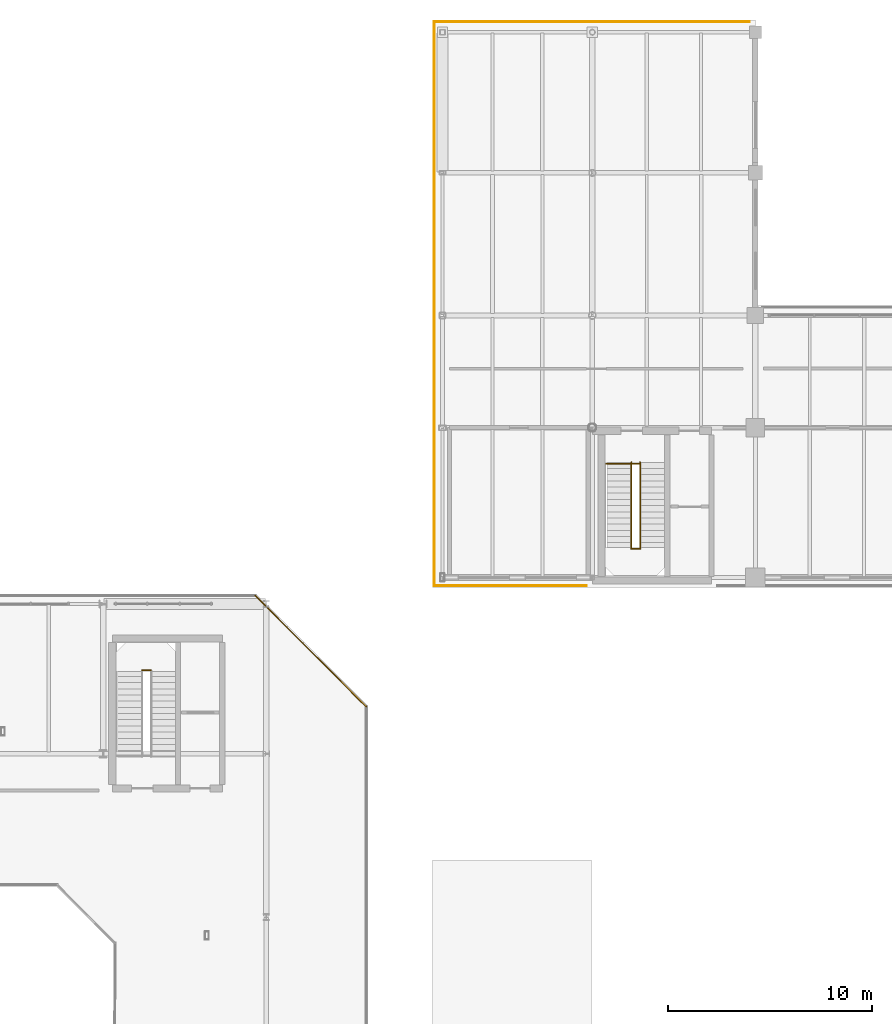
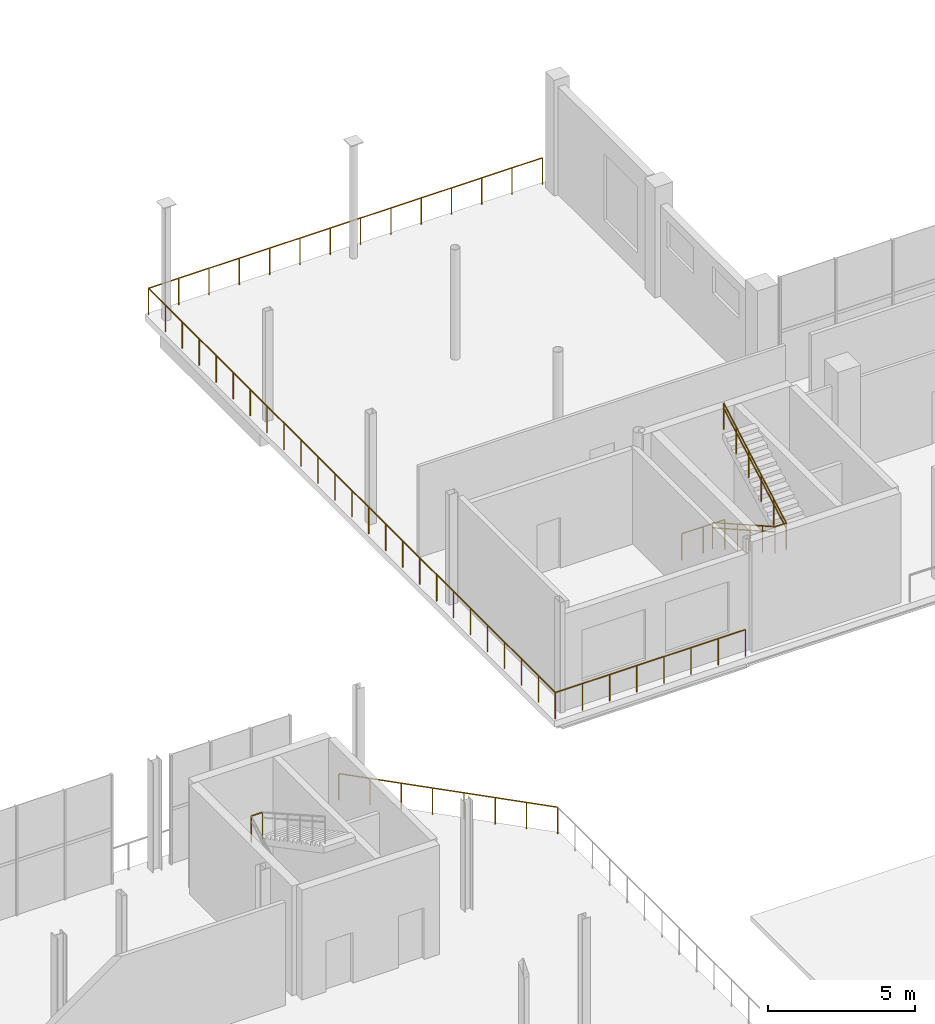
# One storey, part 49 of 51: 11 railings.
"""IFC4 building model written with IfcOpenShell, lengths in metres."""

from ifc_helpers import new_model, si_unit, direction, frame, origin, origin_2d, place, context, subcontext, project, spatial, circle, extrude, material, type_object, element, save


model = new_model("IFC4")

# Units and contexts
model_context = context("Model", 3, precision=1e-05, world=origin(), true_north=direction((0.0, 1.0)))
body_context = subcontext(model_context, "Body", "Model", "MODEL_VIEW")
ifc_project = project(units=[si_unit("LENGTHUNIT", "METRE"), si_unit("AREAUNIT", "SQUARE_METRE"), si_unit("VOLUMEUNIT", "CUBIC_METRE"), si_unit("PLANEANGLEUNIT", "RADIAN"), si_unit("MASSUNIT", "GRAM", prefix="KILO")], contexts=[model_context])

# Site, building, storey
site_placement = place(None, origin())
site = spatial("IfcSite", under=ifc_project, at=site_placement, CompositionType="ELEMENT")
building_placement = place(site_placement, origin())
building = spatial("IfcBuilding", under=site, at=building_placement, Name="Brisemont Oceanarium", CompositionType="ELEMENT")
storey_placement = place(building_placement, frame((0.0, 0.0, 15.0)))
storey = spatial("IfcBuildingStorey", under=building, at=storey_placement, Name="L03", CompositionType="ELEMENT", Elevation=15.0)

# Railings
ifc_material_1 = material(Name="Duplex Stainless Steel EN 1.4462", Category="steel")
railing_type_1 = type_object("IfcRailingType", Name="RLG-GUARD-1120", PredefinedType="GUARDRAIL", material=ifc_material_1)
railing_1_placement = place(storey_placement, frame((97.909912109375, 76.10009765625, 2.39990234375)))
element("IfcRailing", 1, at=railing_1_placement, inside=storey, type_object=railing_type_1, Name="ST-02 L03 landing slot guard", PredefinedType="GUARDRAIL", context=body_context, shape_type="SweptSolid", body=[
    extrude(circle(Radius=0.02392578125, at=origin_2d()), frame((0.0, 0.0, 1.09619140625), z_axis=(1.0, 0.0, 0.0), x_axis=(0.0, 1.0, 0.0)), (0.0, 0.0, 1.0), 0.440185546875),
    extrude(circle(Radius=0.02099609375, at=origin_2d()), origin(), (0.0, 0.0, 1.0), 1.072021484375),
    extrude(circle(Radius=0.02099609375, at=origin_2d()), frame((0.440185546875, 0.0, 0.0)), (0.0, 0.0, 1.0), 1.072021484375),
])
railing_2_placement = place(storey_placement, frame((120.669921875, 86.239990234375, 0.0)))
element("IfcRailing", 2, at=railing_2_placement, inside=storey, type_object=railing_type_1, Name="ST-07 L03 landing edge guard", PredefinedType="GUARDRAIL", context=body_context, shape_type="SweptSolid", body=[
    extrude(circle(Radius=0.02392578125, at=origin_2d()), frame((0.0, 0.0, 1.09619140625), z_axis=(1.0, 0.0, 0.0), x_axis=(0.0, 1.0, 0.0)), (0.0, 0.0, 1.0), 1.68017578125),
    extrude(circle(Radius=0.02099609375, at=origin_2d()), origin(), (0.0, 0.0, 1.0), 1.072021484375),
    extrude(circle(Radius=0.02099609375, at=origin_2d()), frame((0.840087890625, 0.0, 0.0)), (0.0, 0.0, 1.0), 1.072021484375),
    extrude(circle(Radius=0.02099609375, at=origin_2d()), frame((1.68017578125, 0.0, 0.0)), (0.0, 0.0, 1.0), 1.072021484375),
])
railing_3_placement = place(storey_placement, frame((121.909912109375, 86.300048828125, 0.0)))
element("IfcRailing", 3, at=railing_3_placement, inside=storey, type_object=railing_type_1, Name="ST-07 L03 F1 well guard", PredefinedType="GUARDRAIL", context=body_context, shape_type="SweptSolid", body=[
    extrude(circle(Radius=0.02392578125, at=origin_2d()), frame((0.0, 0.0, 1.09619140625), z_axis=(0.0, -0.870762133844, 0.491704490791), x_axis=(1.0, 0.0, 0.0)), (0.0, 0.0, 1.0), 4.880859375),
    extrude(circle(Radius=0.02099609375, at=origin_2d()), origin(), (0.0, 0.0, 1.0), 1.072021484375),
    extrude(circle(Radius=0.02099609375, at=origin_2d()), frame((0.0, -0.85009765625, 0.47998046875)), (0.0, 0.0, 1.0), 1.072021484375),
    extrude(circle(Radius=0.02099609375, at=origin_2d()), frame((0.0, -1.699951171875, 0.9599609375)), (0.0, 0.0, 1.0), 1.072021484375),
    extrude(circle(Radius=0.02099609375, at=origin_2d()), frame((0.0, -2.550048828125, 1.43994140625)), (0.0, 0.0, 1.0), 1.072021484375),
    extrude(circle(Radius=0.02099609375, at=origin_2d()), frame((0.0, -3.39990234375, 1.919921875)), (0.0, 0.0, 1.0), 1.072021484375),
    extrude(circle(Radius=0.02099609375, at=origin_2d()), frame((0.0, -4.25, 2.39990234375)), (0.0, 0.0, 1.0), 1.072021484375),
])
railing_4_placement = place(storey_placement, frame((122.35009765625, 82.050048828125, 2.39990234375)))
element("IfcRailing", 4, at=railing_4_placement, inside=storey, type_object=railing_type_1, Name="ST-07 L03 F2 well guard", PredefinedType="GUARDRAIL", context=body_context, shape_type="SweptSolid", body=[
    extrude(circle(Radius=0.02392578125, at=origin_2d()), frame((0.0, 0.0, 1.09619140625), z_axis=(0.0, 0.870740716755, 0.491742416499), x_axis=(-1.0, 0.0, 0.0)), (0.0, 0.0, 1.0), 4.880859375),
    extrude(circle(Radius=0.02099609375, at=origin_2d()), origin(), (0.0, 0.0, 1.0), 1.072021484375),
    extrude(circle(Radius=0.02099609375, at=origin_2d()), frame((0.0, 0.85009765625, 0.47998046875)), (0.0, 0.0, 1.0), 1.072021484375),
    extrude(circle(Radius=0.02099609375, at=origin_2d()), frame((0.0, 1.699951171875, 0.9599609375)), (0.0, 0.0, 1.0), 1.072021484375),
    extrude(circle(Radius=0.02099609375, at=origin_2d()), frame((0.0, 2.550048828125, 1.440185546875)), (0.0, 0.0, 1.0), 1.072021484375),
    extrude(circle(Radius=0.02099609375, at=origin_2d()), frame((0.0, 3.39990234375, 1.920166015625)), (0.0, 0.0, 1.0), 1.072021484375),
    extrude(circle(Radius=0.02099609375, at=origin_2d()), frame((0.0, 4.25, 2.400146484375)), (0.0, 0.0, 1.0), 1.072021484375),
])
railing_5_placement = place(storey_placement, frame((121.909912109375, 82.050048828125, 2.39990234375)))
element("IfcRailing", 5, at=railing_5_placement, inside=storey, type_object=railing_type_1, Name="ST-07 L03 landing slot guard", PredefinedType="GUARDRAIL", context=body_context, shape_type="SweptSolid", body=[
    extrude(circle(Radius=0.02392578125, at=origin_2d()), frame((0.0, 0.0, 1.09619140625), z_axis=(1.0, 0.0, 0.0), x_axis=(0.0, 1.0, 0.0)), (0.0, 0.0, 1.0), 0.440185546875),
    extrude(circle(Radius=0.02099609375, at=origin_2d()), origin(), (0.0, 0.0, 1.0), 1.072021484375),
    extrude(circle(Radius=0.02099609375, at=origin_2d()), frame((0.440185546875, 0.0, 0.0)), (0.0, 0.0, 1.0), 1.072021484375),
])
railing_6_placement = place(storey_placement, frame((112.239990234375, 80.239990234375, 0.0)))
element("IfcRailing", 6, at=railing_6_placement, inside=storey, type_object=railing_type_1, Name="L03 slab perimeter safety guard 195", PredefinedType="GUARDRAIL", context=body_context, shape_type="SweptSolid", body=[
    extrude(circle(Radius=0.02392578125, at=origin_2d()), frame((0.0, 0.0, 1.09619140625), z_axis=(0.0, 1.0, 0.0), x_axis=(-1.0, 0.0, 0.0)), (0.0, 0.0, 1.0), 27.66943359375),
    extrude(circle(Radius=0.02099609375, at=origin_2d()), origin(), (0.0, 0.0, 1.0), 1.072021484375),
    extrude(circle(Radius=0.02099609375, at=origin_2d()), frame((0.0, 1.15283203125, 0.0)), (0.0, 0.0, 1.0), 1.072021484375),
    extrude(circle(Radius=0.02099609375, at=origin_2d()), frame((0.0, 2.3056640625, 0.0)), (0.0, 0.0, 1.0), 1.072021484375),
    extrude(circle(Radius=0.02099609375, at=origin_2d()), frame((0.0, 3.458740234375, 0.0)), (0.0, 0.0, 1.0), 1.072021484375),
    extrude(circle(Radius=0.02099609375, at=origin_2d()), frame((0.0, 4.611572265625, 0.0)), (0.0, 0.0, 1.0), 1.072021484375),
    extrude(circle(Radius=0.02099609375, at=origin_2d()), frame((0.0, 5.764404296875, 0.0)), (0.0, 0.0, 1.0), 1.072021484375),
    extrude(circle(Radius=0.02099609375, at=origin_2d()), frame((0.0, 6.91748046875, 0.0)), (0.0, 0.0, 1.0), 1.072021484375),
    extrude(circle(Radius=0.02099609375, at=origin_2d()), frame((0.0, 8.0703125, 0.0)), (0.0, 0.0, 1.0), 1.072021484375),
    extrude(circle(Radius=0.02099609375, at=origin_2d()), frame((0.0, 9.22314453125, 0.0)), (0.0, 0.0, 1.0), 1.072021484375),
    extrude(circle(Radius=0.02099609375, at=origin_2d()), frame((0.0, 10.3759765625, 0.0)), (0.0, 0.0, 1.0), 1.072021484375),
    extrude(circle(Radius=0.02099609375, at=origin_2d()), frame((0.0, 11.52880859375, 0.0)), (0.0, 0.0, 1.0), 1.072021484375),
    extrude(circle(Radius=0.02099609375, at=origin_2d()), frame((0.0, 12.681884765625, 0.0)), (0.0, 0.0, 1.0), 1.072021484375),
    extrude(circle(Radius=0.02099609375, at=origin_2d()), frame((0.0, 13.834716796875, 0.0)), (0.0, 0.0, 1.0), 1.072021484375),
    extrude(circle(Radius=0.02099609375, at=origin_2d()), frame((0.0, 14.987548828125, 0.0)), (0.0, 0.0, 1.0), 1.072021484375),
    extrude(circle(Radius=0.02099609375, at=origin_2d()), frame((0.0, 16.140625, 0.0)), (0.0, 0.0, 1.0), 1.072021484375),
    extrude(circle(Radius=0.02099609375, at=origin_2d()), frame((0.0, 17.29345703125, 0.0)), (0.0, 0.0, 1.0), 1.072021484375),
    extrude(circle(Radius=0.02099609375, at=origin_2d()), frame((0.0, 18.4462890625, 0.0)), (0.0, 0.0, 1.0), 1.072021484375),
    extrude(circle(Radius=0.02099609375, at=origin_2d()), frame((0.0, 19.59912109375, 0.0)), (0.0, 0.0, 1.0), 1.072021484375),
    extrude(circle(Radius=0.02099609375, at=origin_2d()), frame((0.0, 20.751953125, 0.0)), (0.0, 0.0, 1.0), 1.072021484375),
    extrude(circle(Radius=0.02099609375, at=origin_2d()), frame((0.0, 21.905029296875, 0.0)), (0.0, 0.0, 1.0), 1.072021484375),
    extrude(circle(Radius=0.02099609375, at=origin_2d()), frame((0.0, 23.057861328125, 0.0)), (0.0, 0.0, 1.0), 1.072021484375),
    extrude(circle(Radius=0.02099609375, at=origin_2d()), frame((0.0, 24.210693359375, 0.0)), (0.0, 0.0, 1.0), 1.072021484375),
    extrude(circle(Radius=0.02099609375, at=origin_2d()), frame((0.0, 25.36376953125, 0.0)), (0.0, 0.0, 1.0), 1.072021484375),
    extrude(circle(Radius=0.02099609375, at=origin_2d()), frame((0.0, 26.5166015625, 0.0)), (0.0, 0.0, 1.0), 1.072021484375),
    extrude(circle(Radius=0.02099609375, at=origin_2d()), frame((0.0, 27.66943359375, 0.0)), (0.0, 0.0, 1.0), 1.072021484375),
])
railing_7_placement = place(storey_placement, frame((112.239990234375, 107.909423828125, 0.0)))
element("IfcRailing", 7, at=railing_7_placement, inside=storey, type_object=railing_type_1, Name="L03 slab perimeter safety guard 196", PredefinedType="GUARDRAIL", context=body_context, shape_type="SweptSolid", body=[
    extrude(circle(Radius=0.02392578125, at=origin_2d()), frame((0.0, 0.0, 1.09619140625), z_axis=(0.999999999502, 3.1567151e-05, 0.0), x_axis=(-3.1567151e-05, 0.999999999502, 0.0)), (0.0, 0.0, 1.0), 15.468017578125),
    extrude(circle(Radius=0.02099609375, at=origin_2d()), origin(), (0.0, 0.0, 1.0), 1.072021484375),
    extrude(circle(Radius=0.02099609375, at=origin_2d()), frame((1.18994140625, 0.0, 0.0)), (0.0, 0.0, 1.0), 1.072021484375),
    extrude(circle(Radius=0.02099609375, at=origin_2d()), frame((2.379638671875, 0.0, 0.0)), (0.0, 0.0, 1.0), 1.072021484375),
    extrude(circle(Radius=0.02099609375, at=origin_2d()), frame((3.569580078125, 0.0, 0.0)), (0.0, 0.0, 1.0), 1.072021484375),
    extrude(circle(Radius=0.02099609375, at=origin_2d()), frame((4.75927734375, 0.000244140625, 0.0)), (0.0, 0.0, 1.0), 1.072021484375),
    extrude(circle(Radius=0.02099609375, at=origin_2d()), frame((5.94921875, 0.000244140625, 0.0)), (0.0, 0.0, 1.0), 1.072021484375),
    extrude(circle(Radius=0.02099609375, at=origin_2d()), frame((7.13916015625, 0.000244140625, 0.0)), (0.0, 0.0, 1.0), 1.072021484375),
    extrude(circle(Radius=0.02099609375, at=origin_2d()), frame((8.328857421875, 0.000244140625, 0.0)), (0.0, 0.0, 1.0), 1.072021484375),
    extrude(circle(Radius=0.02099609375, at=origin_2d()), frame((9.518798828125, 0.000244140625, 0.0)), (0.0, 0.0, 1.0), 1.072021484375),
    extrude(circle(Radius=0.02099609375, at=origin_2d()), frame((10.708740234375, 0.000244140625, 0.0)), (0.0, 0.0, 1.0), 1.072021484375),
    extrude(circle(Radius=0.02099609375, at=origin_2d()), frame((11.8984375, 0.00048828125, 0.0)), (0.0, 0.0, 1.0), 1.072021484375),
    extrude(circle(Radius=0.02099609375, at=origin_2d()), frame((13.08837890625, 0.00048828125, 0.0)), (0.0, 0.0, 1.0), 1.072021484375),
    extrude(circle(Radius=0.02099609375, at=origin_2d()), frame((14.278076171875, 0.00048828125, 0.0)), (0.0, 0.0, 1.0), 1.072021484375),
    extrude(circle(Radius=0.02099609375, at=origin_2d()), frame((15.468017578125, 0.00048828125, 0.0)), (0.0, 0.0, 1.0), 1.072021484375),
])
railing_8_placement = place(storey_placement, frame((119.703125, 80.239990234375, 0.0)))
element("IfcRailing", 8, at=railing_8_placement, inside=storey, type_object=railing_type_1, Name="L03 slab perimeter safety guard 208", PredefinedType="GUARDRAIL", context=body_context, shape_type="SweptSolid", body=[
    extrude(circle(Radius=0.02392578125, at=origin_2d()), frame((0.0, 0.0, 1.09619140625), z_axis=(-1.0, 0.0, 0.0), x_axis=(0.0, -1.0, 0.0)), (0.0, 0.0, 1.0), 7.463134765625),
    extrude(circle(Radius=0.02099609375, at=origin_2d()), origin(), (0.0, 0.0, 1.0), 1.072021484375),
    extrude(circle(Radius=0.02099609375, at=origin_2d()), frame((-1.066162109375, 0.0, 0.0)), (0.0, 0.0, 1.0), 1.072021484375),
    extrude(circle(Radius=0.02099609375, at=origin_2d()), frame((-2.13232421875, 0.0, 0.0)), (0.0, 0.0, 1.0), 1.072021484375),
    extrude(circle(Radius=0.02099609375, at=origin_2d()), frame((-3.198486328125, 0.0, 0.0)), (0.0, 0.0, 1.0), 1.072021484375),
    extrude(circle(Radius=0.02099609375, at=origin_2d()), frame((-4.2646484375, 0.0, 0.0)), (0.0, 0.0, 1.0), 1.072021484375),
    extrude(circle(Radius=0.02099609375, at=origin_2d()), frame((-5.330810546875, 0.0, 0.0)), (0.0, 0.0, 1.0), 1.072021484375),
    extrude(circle(Radius=0.02099609375, at=origin_2d()), frame((-6.39697265625, 0.0, 0.0)), (0.0, 0.0, 1.0), 1.072021484375),
    extrude(circle(Radius=0.02099609375, at=origin_2d()), frame((-7.463134765625, 0.0, 0.0)), (0.0, 0.0, 1.0), 1.072021484375),
])
railing_9_placement = place(storey_placement, frame((103.462646484375, 79.760009765625, 0.0)))
element("IfcRailing", 9, at=railing_9_placement, inside=storey, type_object=railing_type_1, Name="L03 slab perimeter safety guard 212", PredefinedType="GUARDRAIL", context=body_context, shape_type="SweptSolid", body=[
    extrude(circle(Radius=0.02392578125, at=origin_2d()), frame((0.0, 0.0, 1.09619140625), z_axis=(0.707106781187, -0.707106781187, 0.0), x_axis=(0.707106781187, 0.707106781187, 0.0)), (0.0, 0.0, 1.0), 7.70361328125),
    extrude(circle(Radius=0.02099609375, at=origin_2d()), origin(), (0.0, 0.0, 1.0), 1.072021484375),
    extrude(circle(Radius=0.02099609375, at=origin_2d()), frame((0.778076171875, -0.778076171875, 0.0)), (0.0, 0.0, 1.0), 1.072021484375),
    extrude(circle(Radius=0.02099609375, at=origin_2d()), frame((1.556396484375, -1.556396484375, 0.0)), (0.0, 0.0, 1.0), 1.072021484375),
    extrude(circle(Radius=0.02099609375, at=origin_2d()), frame((2.33447265625, -2.33447265625, 0.0)), (0.0, 0.0, 1.0), 1.072021484375),
    extrude(circle(Radius=0.02099609375, at=origin_2d()), frame((3.11279296875, -3.11279296875, 0.0)), (0.0, 0.0, 1.0), 1.072021484375),
    extrude(circle(Radius=0.02099609375, at=origin_2d()), frame((3.890869140625, -3.890869140625, 0.0)), (0.0, 0.0, 1.0), 1.072021484375),
    extrude(circle(Radius=0.02099609375, at=origin_2d()), frame((4.669189453125, -4.669189453125, 0.0)), (0.0, 0.0, 1.0), 1.072021484375),
    extrude(circle(Radius=0.02099609375, at=origin_2d()), frame((5.447265625, -5.447265625, 0.0)), (0.0, 0.0, 1.0), 1.072021484375),
])
ifc_material_2 = material(Name="Duplex Stainless Steel EN 1.4462", Category="steel")
railing_type_2 = type_object("IfcRailingType", Name="RLG-HAND-900", PredefinedType="HANDRAIL", material=ifc_material_2)
railing_10_placement = place(storey_placement, frame((121.909912109375, 86.300048828125, 0.0)))
element("IfcRailing", 10, at=railing_10_placement, inside=storey, type_object=railing_type_2, Name="ST-07 L03 F1 handrail", PredefinedType="HANDRAIL", context=body_context, shape_type="SweptSolid", body=[
    extrude(circle(Radius=0.02392578125, at=origin_2d()), frame((0.0, 0.0, 0.8759765625), z_axis=(0.0, -0.870762133844, 0.491704490791), x_axis=(1.0, 0.0, 0.0)), (0.0, 0.0, 1.0), 4.880859375),
    extrude(circle(Radius=0.02099609375, at=origin_2d()), origin(), (0.0, 0.0, 1.0), 0.851806640625),
    extrude(circle(Radius=0.02099609375, at=origin_2d()), frame((0.0, -0.85009765625, 0.47998046875)), (0.0, 0.0, 1.0), 0.851806640625),
    extrude(circle(Radius=0.02099609375, at=origin_2d()), frame((0.0, -1.699951171875, 0.9599609375)), (0.0, 0.0, 1.0), 0.851806640625),
    extrude(circle(Radius=0.02099609375, at=origin_2d()), frame((0.0, -2.550048828125, 1.43994140625)), (0.0, 0.0, 1.0), 0.851806640625),
    extrude(circle(Radius=0.02099609375, at=origin_2d()), frame((0.0, -3.39990234375, 1.919921875)), (0.0, 0.0, 1.0), 0.851806640625),
    extrude(circle(Radius=0.02099609375, at=origin_2d()), frame((0.0, -4.25, 2.39990234375)), (0.0, 0.0, 1.0), 0.851806640625),
])
railing_11_placement = place(storey_placement, frame((122.35009765625, 82.050048828125, 2.39990234375)))
element("IfcRailing", 11, at=railing_11_placement, inside=storey, type_object=railing_type_2, Name="ST-07 L03 F2 handrail", PredefinedType="HANDRAIL", context=body_context, shape_type="SweptSolid", body=[
    extrude(circle(Radius=0.02392578125, at=origin_2d()), frame((0.0, 0.0, 0.8759765625), z_axis=(0.0, 0.870740716755, 0.491742416499), x_axis=(-1.0, 0.0, 0.0)), (0.0, 0.0, 1.0), 4.880859375),
    extrude(circle(Radius=0.02099609375, at=origin_2d()), origin(), (0.0, 0.0, 1.0), 0.851806640625),
    extrude(circle(Radius=0.02099609375, at=origin_2d()), frame((0.0, 0.85009765625, 0.47998046875)), (0.0, 0.0, 1.0), 0.851806640625),
    extrude(circle(Radius=0.02099609375, at=origin_2d()), frame((0.0, 1.699951171875, 0.9599609375)), (0.0, 0.0, 1.0), 0.851806640625),
    extrude(circle(Radius=0.02099609375, at=origin_2d()), frame((0.0, 2.550048828125, 1.440185546875)), (0.0, 0.0, 1.0), 0.851806640625),
    extrude(circle(Radius=0.02099609375, at=origin_2d()), frame((0.0, 3.39990234375, 1.920166015625)), (0.0, 0.0, 1.0), 0.851806640625),
    extrude(circle(Radius=0.02099609375, at=origin_2d()), frame((0.0, 4.25, 2.400146484375)), (0.0, 0.0, 1.0), 0.851806640625),
])

save(model, "model.ifc")
